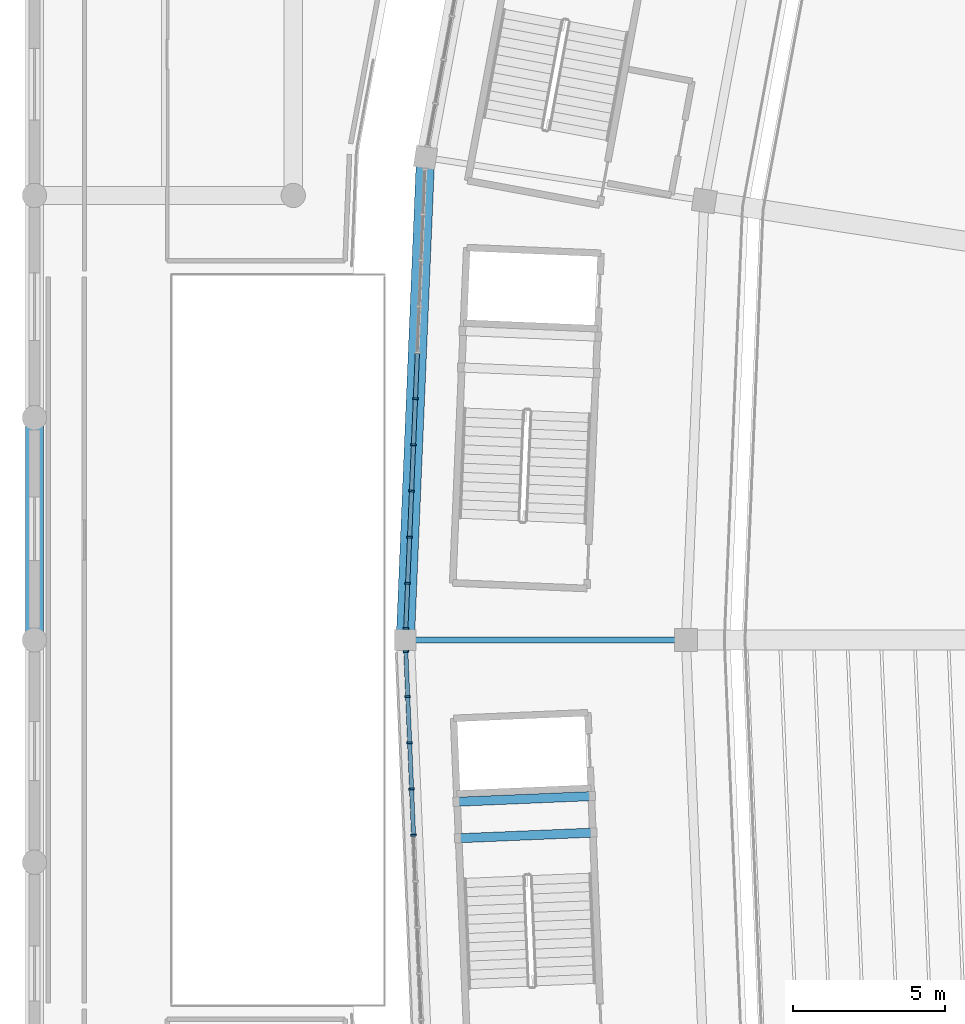
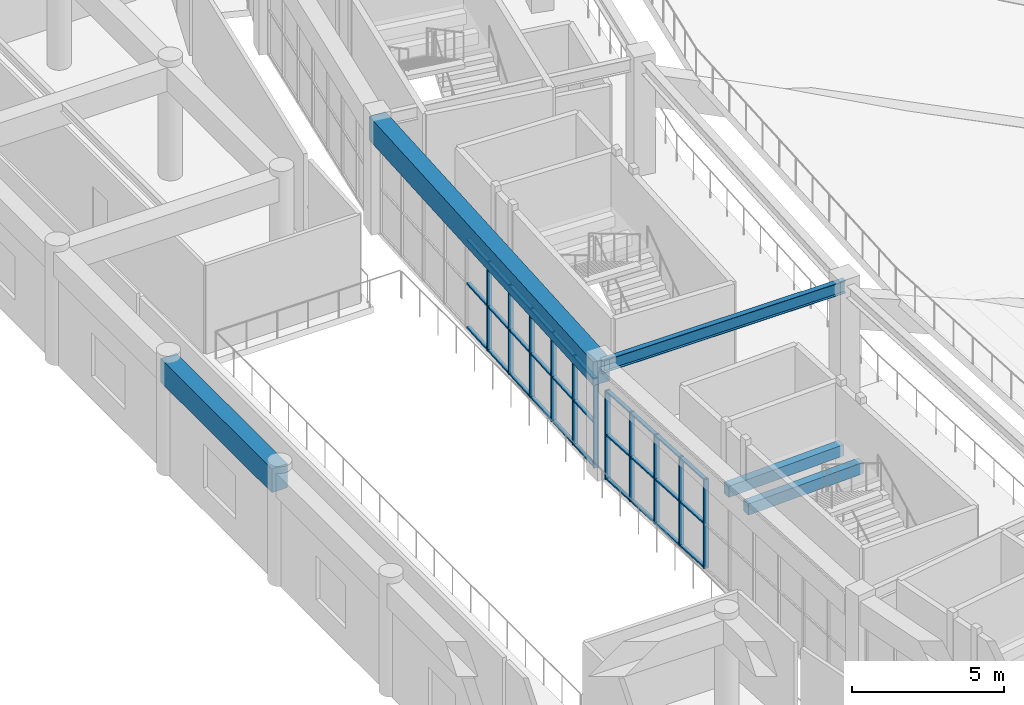
# One storey, part 26 of 137: 41 members, 5 beams, 2 elements without a shape of their own.
"""IFC4 building model written with IfcOpenShell, lengths in metres."""

from ifc_helpers import new_model, si_unit, direction, frame, origin, origin_2d, place, context, subcontext, project, spatial, rectangle, i_section, extrude, material, layer, layer_set, material_profile, profile_set, type_object, element, aggregate, save


model = new_model("IFC4")

# Units and contexts
model_context = context("Model", 3, precision=1e-05, world=origin(), true_north=direction((0.0, 1.0)))
body_context = subcontext(model_context, "Body", "Model", "MODEL_VIEW")
ifc_project = project(units=[si_unit("LENGTHUNIT", "METRE"), si_unit("AREAUNIT", "SQUARE_METRE"), si_unit("VOLUMEUNIT", "CUBIC_METRE"), si_unit("PLANEANGLEUNIT", "RADIAN"), si_unit("MASSUNIT", "GRAM", prefix="KILO")], contexts=[model_context])

# Site, building, storey
site_placement = place(None, origin())
site = spatial("IfcSite", under=ifc_project, at=site_placement, CompositionType="ELEMENT")
building_placement = place(site_placement, origin())
building = spatial("IfcBuilding", under=site, at=building_placement, Name="Mphavela Belvedere Stadium", CompositionType="ELEMENT")
storey_placement = place(building_placement, frame((0.0, 0.0, 19.199951171875)))
storey = spatial("IfcBuildingStorey", under=building, at=storey_placement, Name="L04", CompositionType="ELEMENT", Elevation=19.199951171875)

# Beams
ifc_material_1 = material(Name="Concrete C40/50", Category="concrete")
ifc_material_profile_1 = material_profile(ifc_material_1, rectangle(XDim=0.60009765625, YDim=0.949951171875, at=origin_2d()), Name="RC 600x950")
ifc_profile_set_1 = profile_set([ifc_material_profile_1], Name="Concrete C40/50")
beam_type_1 = type_object("IfcBeamType", Name="BM-ENTABLATURE-950", PredefinedType="SPANDREL", material=ifc_profile_set_1)
beam_1_placement = place(storey_placement, frame((12.844482421875, 102.844970703125, 4.074951171875), z_axis=(-0.041903963155, -0.999121643181, 0.0), x_axis=(0.999121643181, -0.041903963155, 0.0)))
element("IfcBeam", 1, at=beam_1_placement, inside=storey, type_object=beam_type_1, Name="Circumferential girder L04 R4-24", PredefinedType="SPANDREL", context=body_context, shape_type="SweptSolid", body=[
    extrude(rectangle(XDim=0.60009765625, YDim=0.949951171875, at=origin_2d()), origin(), (0.0, 0.0, 1.0), 15.85888671875),
])
beam_2_placement = place(storey_placement, frame((0.0, 87.0, 4.06494140625), z_axis=(0.0, 1.0, 0.0), x_axis=(-1.0, 0.0, 0.0)))
element("IfcBeam", 2, at=beam_2_placement, inside=storey, type_object=beam_type_1, Name="West Planted Eaves Peristyle Colonnade entablature beam Y L04 1-6", PredefinedType="SPANDREL", context=body_context, shape_type="SweptSolid", body=[
    extrude(rectangle(XDim=0.60009765625, YDim=0.949951171875, at=origin_2d()), origin(), (0.0, 0.0, 1.0), 7.300048828125),
])
ifc_material_2 = material(Name="Concrete C40/50", Category="concrete")
ifc_material_profile_2 = material_profile(ifc_material_2, rectangle(XDim=0.300048828125, YDim=0.449951171875, at=origin_2d()), Name="RC 300x450")
ifc_profile_set_2 = profile_set([ifc_material_profile_2], Name="Concrete C40/50")
beam_type_2 = type_object("IfcBeamType", Name="BM-RC300x450", PredefinedType="BEAM", material=ifc_profile_set_2)
for number, where, z_axis, x_axis, name in (
    (3, (18.367919921875, 80.674560546875, 1.97509765625), (-0.999122153252, -0.04189179968, 0.0), (0.04189179968, -0.999122153252, 0.0), "Core C08 landing trimmer beam L04-1"),
    (4, (18.317626953125, 81.87353515625, 1.97509765625), (-0.999122153252, -0.04189179968, 0.0), (0.04189179968, -0.999122153252, 0.0), "Core C08 landing trimmer beam L04-2"),
):
    element("IfcBeam", number, at=place(storey_placement, frame(where, z_axis=z_axis, x_axis=x_axis)), inside=storey, type_object=beam_type_2, Name=name, PredefinedType="BEAM", context=body_context, shape_type="SweptSolid", body=[
        extrude(rectangle(XDim=0.300048828125, YDim=0.449951171875, at=origin_2d()), origin(), (0.0, 0.0, 1.0), 4.469970703125),
    ])
ifc_material_3 = material(Name="Steel S355", Category="steel")
ifc_material_profile_3 = material_profile(ifc_material_3, i_section(OverallWidth=0.199951171875, OverallDepth=0.5, WebThickness=0.01025390625, FlangeThickness=0.01611328125, at=origin_2d()), Name="IPE 500")
ifc_profile_set_3 = profile_set([ifc_material_profile_3], Name="Steel S355")
beam_type_3 = type_object("IfcBeamType", Name="BM-STEEL-IPE500", PredefinedType="BEAM", material=ifc_profile_set_3)
beam_3_placement = place(storey_placement, frame((21.39501953125, 87.0, 4.300048828125), z_axis=(-1.0, 0.0, 0.0), x_axis=(0.0, -1.0, 0.0)))
element("IfcBeam", 5, at=beam_3_placement, inside=storey, type_object=beam_type_3, Name="Radial concourse girder L04 R3R4-25", PredefinedType="BEAM", context=body_context, shape_type="SweptSolid", body=[
    extrude(i_section(OverallWidth=0.199951171875, OverallDepth=0.5, WebThickness=0.01025390625, FlangeThickness=0.01611328125, at=origin_2d()), origin(), (0.0, 0.0, 1.0), 9.215087890625),
])

# Curtain wall, members
ifc_material_4 = material(Name="Anodised bronze unitised curtain wall framing")
ifc_layer_1 = layer(ifc_material_4, 0.205078125)
ifc_layer_set_1 = layer_set([ifc_layer_1], Name="Anodised bronze unitised curtain wall framing")
curtain_wall_type_1 = type_object("IfcCurtainWallType", Name="CW-UNIT-06", PredefinedType="USERDEFINED", material=ifc_layer_set_1)
curtain_wall_1_placement = place(storey_placement, origin())
curtain_wall_1 = element("IfcCurtainWall", 6, at=curtain_wall_1_placement, inside=storey, type_object=curtain_wall_type_1, Name="Belvedere colonnade curtain wall L04-24", ObjectType="UNITISED CURTAIN WALL", PredefinedType="USERDEFINED")
ifc_material_5 = material(Name="Anodised bronze extruded aluminium", Category="aluminium")
ifc_material_profile_4 = material_profile(ifc_material_5, rectangle(XDim=0.179931640625, YDim=0.06494140625, at=origin_2d()), Name="CW-MUL 180x65")
ifc_profile_set_4 = profile_set([ifc_material_profile_4], Name="Anodised bronze extruded aluminium")
member_type_1 = type_object("IfcMemberType", Name="CWM-180x65", PredefinedType="MULLION", material=ifc_profile_set_4)
member_1_placement = place(storey_placement, frame((12.51220703125, 94.922607421875, 0.0), z_axis=(0.0, 0.0, 1.0), x_axis=(0.999121605563, -0.041904860066, 0.0)))
member_1 = element("IfcMember", 7, at=member_1_placement, type_object=member_type_1, Name="CW-06 mullion 6", PredefinedType="MULLION", context=body_context, shape_type="SweptSolid", body=[
    extrude(rectangle(XDim=0.179931640625, YDim=0.06494140625, at=origin_2d()), origin(), (0.0, 0.0, 1.0), 3.570068359375),
])
member_2_placement = place(storey_placement, frame((12.44873046875, 93.407470703125, 0.0), z_axis=(0.0, 0.0, 1.0), x_axis=(0.999121605563, -0.041904860066, 0.0)))
member_2 = element("IfcMember", 8, at=member_2_placement, type_object=member_type_1, Name="CW-06 mullion 7", PredefinedType="MULLION", context=body_context, shape_type="SweptSolid", body=[
    extrude(rectangle(XDim=0.179931640625, YDim=0.06494140625, at=origin_2d()), origin(), (0.0, 0.0, 1.0), 3.570068359375),
])
member_3_placement = place(storey_placement, frame((12.38525390625, 91.892578125, 0.0), z_axis=(0.0, 0.0, 1.0), x_axis=(0.999121605563, -0.041904860066, 0.0)))
member_3 = element("IfcMember", 9, at=member_3_placement, type_object=member_type_1, Name="CW-06 mullion 8", PredefinedType="MULLION", context=body_context, shape_type="SweptSolid", body=[
    extrude(rectangle(XDim=0.179931640625, YDim=0.06494140625, at=origin_2d()), origin(), (0.0, 0.0, 1.0), 3.570068359375),
])
member_4_placement = place(storey_placement, frame((12.32177734375, 90.377685546875, 0.0), z_axis=(0.0, 0.0, 1.0), x_axis=(0.999121605563, -0.041904860066, 0.0)))
member_4 = element("IfcMember", 10, at=member_4_placement, type_object=member_type_1, Name="CW-06 mullion 9", PredefinedType="MULLION", context=body_context, shape_type="SweptSolid", body=[
    extrude(rectangle(XDim=0.179931640625, YDim=0.06494140625, at=origin_2d()), origin(), (0.0, 0.0, 1.0), 3.570068359375),
])
member_5_placement = place(storey_placement, frame((12.258056640625, 88.862548828125, 0.0), z_axis=(0.0, 0.0, 1.0), x_axis=(0.999121605563, -0.041904860066, 0.0)))
member_5 = element("IfcMember", 11, at=member_5_placement, type_object=member_type_1, Name="CW-06 mullion 10", PredefinedType="MULLION", context=body_context, shape_type="SweptSolid", body=[
    extrude(rectangle(XDim=0.179931640625, YDim=0.06494140625, at=origin_2d()), origin(), (0.0, 0.0, 1.0), 3.570068359375),
])
member_6_placement = place(storey_placement, frame((12.196044921875, 87.380126953125, 0.0), z_axis=(0.0, 0.0, 1.0), x_axis=(0.999121605563, -0.041904860066, 0.0)))
member_6 = element("IfcMember", 12, at=member_6_placement, type_object=member_type_1, Name="CW-06 mullion 11", PredefinedType="MULLION", context=body_context, shape_type="SweptSolid", body=[
    extrude(rectangle(XDim=0.179931640625, YDim=0.06494140625, at=origin_2d()), origin(), (0.0, 0.0, 1.0), 3.570068359375),
])

ifc_material_6 = material(Name="Anodised bronze unitised curtain wall framing")
ifc_layer_2 = layer(ifc_material_6, 0.179931640625)
ifc_layer_set_2 = layer_set([ifc_layer_2], Name="Anodised bronze unitised curtain wall framing")
curtain_wall_type_2 = type_object("IfcCurtainWallType", Name="CW-UNIT-01", PredefinedType="USERDEFINED", material=ifc_layer_set_2)
curtain_wall_2_placement = place(storey_placement, origin())
curtain_wall_2 = element("IfcCurtainWall", 13, at=curtain_wall_2_placement, inside=storey, type_object=curtain_wall_type_2, Name="Belvedere colonnade curtain wall L04-25", ObjectType="UNITISED CURTAIN WALL", PredefinedType="USERDEFINED")
member_7_placement = place(storey_placement, frame((12.196044921875, 86.619873046875, 0.0), z_axis=(0.0, 0.0, 1.0), x_axis=(0.999121605563, 0.041904860066, 0.0)))
member_7 = element("IfcMember", 14, at=member_7_placement, type_object=member_type_1, Name="CW-01 mullion 1", PredefinedType="MULLION", context=body_context, shape_type="SweptSolid", body=[
    extrude(rectangle(XDim=0.179931640625, YDim=0.06494140625, at=origin_2d()), origin(), (0.0, 0.0, 1.0), 3.570068359375),
])
member_8_placement = place(storey_placement, frame((12.258056640625, 85.137451171875, 0.0), z_axis=(0.0, 0.0, 1.0), x_axis=(0.999121605563, 0.041904860066, 0.0)))
member_8 = element("IfcMember", 15, at=member_8_placement, type_object=member_type_1, Name="CW-01 mullion 2", PredefinedType="MULLION", context=body_context, shape_type="SweptSolid", body=[
    extrude(rectangle(XDim=0.179931640625, YDim=0.06494140625, at=origin_2d()), origin(), (0.0, 0.0, 1.0), 3.570068359375),
])
member_9_placement = place(storey_placement, frame((12.32177734375, 83.622314453125, 0.0), z_axis=(0.0, 0.0, 1.0), x_axis=(0.999121605563, 0.041904860066, 0.0)))
member_9 = element("IfcMember", 16, at=member_9_placement, type_object=member_type_1, Name="CW-01 mullion 3", PredefinedType="MULLION", context=body_context, shape_type="SweptSolid", body=[
    extrude(rectangle(XDim=0.179931640625, YDim=0.06494140625, at=origin_2d()), origin(), (0.0, 0.0, 1.0), 3.570068359375),
])
member_10_placement = place(storey_placement, frame((12.38525390625, 82.107421875, 0.0), z_axis=(0.0, 0.0, 1.0), x_axis=(0.999121605563, 0.041904860066, 0.0)))
member_10 = element("IfcMember", 17, at=member_10_placement, type_object=member_type_1, Name="CW-01 mullion 4", PredefinedType="MULLION", context=body_context, shape_type="SweptSolid", body=[
    extrude(rectangle(XDim=0.179931640625, YDim=0.06494140625, at=origin_2d()), origin(), (0.0, 0.0, 1.0), 3.570068359375),
])
member_11_placement = place(storey_placement, frame((12.44873046875, 80.592529296875, 0.0), z_axis=(0.0, 0.0, 1.0), x_axis=(0.999121605563, 0.041904860066, 0.0)))
member_11 = element("IfcMember", 18, at=member_11_placement, type_object=member_type_1, Name="CW-01 mullion 5", PredefinedType="MULLION", context=body_context, shape_type="SweptSolid", body=[
    extrude(rectangle(XDim=0.179931640625, YDim=0.06494140625, at=origin_2d()), origin(), (0.0, 0.0, 1.0), 3.570068359375),
])

# Member
ifc_material_7 = material(Name="Anodised bronze extruded aluminium", Category="aluminium")
ifc_material_profile_5 = material_profile(ifc_material_7, rectangle(XDim=0.139892578125, YDim=0.06005859375, at=origin_2d()), Name="CW-TRN 140x60")
ifc_profile_set_5 = profile_set([ifc_material_profile_5], Name="Anodised bronze extruded aluminium")
member_type_2 = type_object("IfcMemberType", Name="CWT-140x60", PredefinedType="USERDEFINED", material=ifc_profile_set_5)
member_12_placement = place(storey_placement, frame((12.574462890625, 96.405029296875, 0.030029296875), z_axis=(-0.041889449519, -0.999122251789, 0.0), x_axis=(0.999122251789, -0.041889449519, 0.0)))
member_12 = element("IfcMember", 19, at=member_12_placement, type_object=member_type_2, Name="CW-06 transom 5.1", ObjectType="TRANSOM", PredefinedType="USERDEFINED", context=body_context, shape_type="SweptSolid", body=[
    extrude(rectangle(XDim=0.139892578125, YDim=0.06005859375, at=origin_2d()), origin(), (0.0, 0.0, 1.0), 1.451171875),
])

member_13_placement = place(storey_placement, frame((12.574462890625, 96.405029296875, 1.78515625), z_axis=(-0.041889449519, -0.999122251789, 0.0), x_axis=(0.999122251789, -0.041889449519, 0.0)))
member_13 = element("IfcMember", 20, at=member_13_placement, type_object=member_type_2, Name="CW-06 transom 5.2", ObjectType="TRANSOM", PredefinedType="USERDEFINED", context=body_context, shape_type="SweptSolid", body=[
    extrude(rectangle(XDim=0.139892578125, YDim=0.06005859375, at=origin_2d()), origin(), (0.0, 0.0, 1.0), 1.451171875),
])

member_14_placement = place(storey_placement, frame((12.574462890625, 96.405029296875, 3.5400390625), z_axis=(-0.041889449519, -0.999122251789, 0.0), x_axis=(0.999122251789, -0.041889449519, 0.0)))
member_14 = element("IfcMember", 21, at=member_14_placement, type_object=member_type_2, Name="CW-06 transom 5.3", ObjectType="TRANSOM", PredefinedType="USERDEFINED", context=body_context, shape_type="SweptSolid", body=[
    extrude(rectangle(XDim=0.139892578125, YDim=0.06005859375, at=origin_2d()), origin(), (0.0, 0.0, 1.0), 1.451171875),
])

member_15_placement = place(storey_placement, frame((12.510986328125, 94.89013671875, 0.030029296875), z_axis=(-0.041882409795, -0.999122546913, 0.0), x_axis=(0.999122546913, -0.041882409795, 0.0)))
member_15 = element("IfcMember", 22, at=member_15_placement, type_object=member_type_2, Name="CW-06 transom 6.1", ObjectType="TRANSOM", PredefinedType="USERDEFINED", context=body_context, shape_type="SweptSolid", body=[
    extrude(rectangle(XDim=0.139892578125, YDim=0.06005859375, at=origin_2d()), origin(), (0.0, 0.0, 1.0), 1.451416015625),
])

member_16_placement = place(storey_placement, frame((12.510986328125, 94.89013671875, 1.78515625), z_axis=(-0.041882409795, -0.999122546913, 0.0), x_axis=(0.999122546913, -0.041882409795, 0.0)))
member_16 = element("IfcMember", 23, at=member_16_placement, type_object=member_type_2, Name="CW-06 transom 6.2", ObjectType="TRANSOM", PredefinedType="USERDEFINED", context=body_context, shape_type="SweptSolid", body=[
    extrude(rectangle(XDim=0.139892578125, YDim=0.06005859375, at=origin_2d()), origin(), (0.0, 0.0, 1.0), 1.451416015625),
])

member_17_placement = place(storey_placement, frame((12.510986328125, 94.89013671875, 3.5400390625), z_axis=(-0.041882409795, -0.999122546913, 0.0), x_axis=(0.999122546913, -0.041882409795, 0.0)))
member_17 = element("IfcMember", 24, at=member_17_placement, type_object=member_type_2, Name="CW-06 transom 6.3", ObjectType="TRANSOM", PredefinedType="USERDEFINED", context=body_context, shape_type="SweptSolid", body=[
    extrude(rectangle(XDim=0.139892578125, YDim=0.06005859375, at=origin_2d()), origin(), (0.0, 0.0, 1.0), 1.451416015625),
])

member_18_placement = place(storey_placement, frame((12.447509765625, 93.375, 0.030029296875), z_axis=(-0.042057383264, -0.999115196818, 0.0), x_axis=(0.999115196818, -0.042057383264, 0.0)))
member_18 = element("IfcMember", 25, at=member_18_placement, type_object=member_type_2, Name="CW-06 transom 7.1", ObjectType="TRANSOM", PredefinedType="USERDEFINED", context=body_context, shape_type="SweptSolid", body=[
    extrude(rectangle(XDim=0.139892578125, YDim=0.06005859375, at=origin_2d()), origin(), (0.0, 0.0, 1.0), 1.451171875),
])

member_19_placement = place(storey_placement, frame((12.447509765625, 93.375, 1.78515625), z_axis=(-0.042057383264, -0.999115196818, 0.0), x_axis=(0.999115196818, -0.042057383264, 0.0)))
member_19 = element("IfcMember", 26, at=member_19_placement, type_object=member_type_2, Name="CW-06 transom 7.2", ObjectType="TRANSOM", PredefinedType="USERDEFINED", context=body_context, shape_type="SweptSolid", body=[
    extrude(rectangle(XDim=0.139892578125, YDim=0.06005859375, at=origin_2d()), origin(), (0.0, 0.0, 1.0), 1.451171875),
])

member_20_placement = place(storey_placement, frame((12.447509765625, 93.375, 3.5400390625), z_axis=(-0.042057383264, -0.999115196818, 0.0), x_axis=(0.999115196818, -0.042057383264, 0.0)))
member_20 = element("IfcMember", 27, at=member_20_placement, type_object=member_type_2, Name="CW-06 transom 7.3", ObjectType="TRANSOM", PredefinedType="USERDEFINED", context=body_context, shape_type="SweptSolid", body=[
    extrude(rectangle(XDim=0.139892578125, YDim=0.06005859375, at=origin_2d()), origin(), (0.0, 0.0, 1.0), 1.451171875),
])

member_21_placement = place(storey_placement, frame((12.3837890625, 91.860107421875, 0.030029296875), z_axis=(-0.041889449519, -0.999122251789, 0.0), x_axis=(0.999122251789, -0.041889449519, 0.0)))
member_21 = element("IfcMember", 28, at=member_21_placement, type_object=member_type_2, Name="CW-06 transom 8.1", ObjectType="TRANSOM", PredefinedType="USERDEFINED", context=body_context, shape_type="SweptSolid", body=[
    extrude(rectangle(XDim=0.139892578125, YDim=0.06005859375, at=origin_2d()), origin(), (0.0, 0.0, 1.0), 1.451171875),
])

member_22_placement = place(storey_placement, frame((12.3837890625, 91.860107421875, 1.78515625), z_axis=(-0.041889449519, -0.999122251789, 0.0), x_axis=(0.999122251789, -0.041889449519, 0.0)))
member_22 = element("IfcMember", 29, at=member_22_placement, type_object=member_type_2, Name="CW-06 transom 8.2", ObjectType="TRANSOM", PredefinedType="USERDEFINED", context=body_context, shape_type="SweptSolid", body=[
    extrude(rectangle(XDim=0.139892578125, YDim=0.06005859375, at=origin_2d()), origin(), (0.0, 0.0, 1.0), 1.451171875),
])

member_23_placement = place(storey_placement, frame((12.3837890625, 91.860107421875, 3.5400390625), z_axis=(-0.041889449519, -0.999122251789, 0.0), x_axis=(0.999122251789, -0.041889449519, 0.0)))
member_23 = element("IfcMember", 30, at=member_23_placement, type_object=member_type_2, Name="CW-06 transom 8.3", ObjectType="TRANSOM", PredefinedType="USERDEFINED", context=body_context, shape_type="SweptSolid", body=[
    extrude(rectangle(XDim=0.139892578125, YDim=0.06005859375, at=origin_2d()), origin(), (0.0, 0.0, 1.0), 1.451171875),
])

member_24_placement = place(storey_placement, frame((12.3203125, 90.34521484375, 0.030029296875), z_axis=(-0.041882409795, -0.999122546913, 0.0), x_axis=(0.999122546913, -0.041882409795, 0.0)))
member_24 = element("IfcMember", 31, at=member_24_placement, type_object=member_type_2, Name="CW-06 transom 9.1", ObjectType="TRANSOM", PredefinedType="USERDEFINED", context=body_context, shape_type="SweptSolid", body=[
    extrude(rectangle(XDim=0.139892578125, YDim=0.06005859375, at=origin_2d()), origin(), (0.0, 0.0, 1.0), 1.451416015625),
])

member_25_placement = place(storey_placement, frame((12.3203125, 90.34521484375, 1.78515625), z_axis=(-0.041882409795, -0.999122546913, 0.0), x_axis=(0.999122546913, -0.041882409795, 0.0)))
member_25 = element("IfcMember", 32, at=member_25_placement, type_object=member_type_2, Name="CW-06 transom 9.2", ObjectType="TRANSOM", PredefinedType="USERDEFINED", context=body_context, shape_type="SweptSolid", body=[
    extrude(rectangle(XDim=0.139892578125, YDim=0.06005859375, at=origin_2d()), origin(), (0.0, 0.0, 1.0), 1.451416015625),
])

member_26_placement = place(storey_placement, frame((12.3203125, 90.34521484375, 3.5400390625), z_axis=(-0.041882409795, -0.999122546913, 0.0), x_axis=(0.999122546913, -0.041882409795, 0.0)))
member_26 = element("IfcMember", 33, at=member_26_placement, type_object=member_type_2, Name="CW-06 transom 9.3", ObjectType="TRANSOM", PredefinedType="USERDEFINED", context=body_context, shape_type="SweptSolid", body=[
    extrude(rectangle(XDim=0.139892578125, YDim=0.06005859375, at=origin_2d()), origin(), (0.0, 0.0, 1.0), 1.451416015625),
])

member_27_placement = place(storey_placement, frame((12.2568359375, 88.830078125, 0.030029296875), z_axis=(-0.041988428468, -0.999118097061, 0.0), x_axis=(0.999118097061, -0.041988428468, 0.0)))
member_27 = element("IfcMember", 34, at=member_27_placement, type_object=member_type_2, Name="CW-06 transom 10.1", ObjectType="TRANSOM", PredefinedType="USERDEFINED", context=body_context, shape_type="SweptSolid", body=[
    extrude(rectangle(XDim=0.139892578125, YDim=0.06005859375, at=origin_2d()), origin(), (0.0, 0.0, 1.0), 1.418701171875),
])

member_28_placement = place(storey_placement, frame((12.2568359375, 88.830078125, 1.78515625), z_axis=(-0.041988428468, -0.999118097061, 0.0), x_axis=(0.999118097061, -0.041988428468, 0.0)))
member_28 = element("IfcMember", 35, at=member_28_placement, type_object=member_type_2, Name="CW-06 transom 10.2", ObjectType="TRANSOM", PredefinedType="USERDEFINED", context=body_context, shape_type="SweptSolid", body=[
    extrude(rectangle(XDim=0.139892578125, YDim=0.06005859375, at=origin_2d()), origin(), (0.0, 0.0, 1.0), 1.418701171875),
])

member_29_placement = place(storey_placement, frame((12.2568359375, 88.830078125, 3.5400390625), z_axis=(-0.041988428468, -0.999118097061, 0.0), x_axis=(0.999118097061, -0.041988428468, 0.0)))
member_29 = element("IfcMember", 36, at=member_29_placement, type_object=member_type_2, Name="CW-06 transom 10.3", ObjectType="TRANSOM", PredefinedType="USERDEFINED", context=body_context, shape_type="SweptSolid", body=[
    extrude(rectangle(XDim=0.139892578125, YDim=0.06005859375, at=origin_2d()), origin(), (0.0, 0.0, 1.0), 1.418701171875),
])

aggregate(curtain_wall_1, [member_1, member_2, member_3, member_4, member_5, member_6, member_12, member_13, member_14, member_15, member_16, member_17, member_18, member_19, member_20, member_21, member_22, member_23, member_24, member_25, member_26, member_27, member_28, member_29])

member_30_placement = place(storey_placement, frame((12.197265625, 86.58740234375, 0.030029296875), z_axis=(0.041988428468, -0.999118097061, 0.0), x_axis=(0.999118097061, 0.041988428468, 0.0)))
member_30 = element("IfcMember", 37, at=member_30_placement, type_object=member_type_2, Name="CW-01 transom 1.1", ObjectType="TRANSOM", PredefinedType="USERDEFINED", context=body_context, shape_type="SweptSolid", body=[
    extrude(rectangle(XDim=0.139892578125, YDim=0.06005859375, at=origin_2d()), origin(), (0.0, 0.0, 1.0), 1.418701171875),
])

member_31_placement = place(storey_placement, frame((12.197265625, 86.58740234375, 1.78515625), z_axis=(0.041988428468, -0.999118097061, 0.0), x_axis=(0.999118097061, 0.041988428468, 0.0)))
member_31 = element("IfcMember", 38, at=member_31_placement, type_object=member_type_2, Name="CW-01 transom 1.2", ObjectType="TRANSOM", PredefinedType="USERDEFINED", context=body_context, shape_type="SweptSolid", body=[
    extrude(rectangle(XDim=0.139892578125, YDim=0.06005859375, at=origin_2d()), origin(), (0.0, 0.0, 1.0), 1.418701171875),
])

member_32_placement = place(storey_placement, frame((12.197265625, 86.58740234375, 3.5400390625), z_axis=(0.041988428468, -0.999118097061, 0.0), x_axis=(0.999118097061, 0.041988428468, 0.0)))
member_32 = element("IfcMember", 39, at=member_32_placement, type_object=member_type_2, Name="CW-01 transom 1.3", ObjectType="TRANSOM", PredefinedType="USERDEFINED", context=body_context, shape_type="SweptSolid", body=[
    extrude(rectangle(XDim=0.139892578125, YDim=0.06005859375, at=origin_2d()), origin(), (0.0, 0.0, 1.0), 1.418701171875),
])

member_33_placement = place(storey_placement, frame((12.259521484375, 85.10498046875, 0.030029296875), z_axis=(0.041882409795, -0.999122546913, 0.0), x_axis=(0.999122546913, 0.041882409795, 0.0)))
member_33 = element("IfcMember", 40, at=member_33_placement, type_object=member_type_2, Name="CW-01 transom 2.1", ObjectType="TRANSOM", PredefinedType="USERDEFINED", context=body_context, shape_type="SweptSolid", body=[
    extrude(rectangle(XDim=0.139892578125, YDim=0.06005859375, at=origin_2d()), origin(), (0.0, 0.0, 1.0), 1.451416015625),
])

member_34_placement = place(storey_placement, frame((12.259521484375, 85.10498046875, 1.78515625), z_axis=(0.041882409795, -0.999122546913, 0.0), x_axis=(0.999122546913, 0.041882409795, 0.0)))
member_34 = element("IfcMember", 41, at=member_34_placement, type_object=member_type_2, Name="CW-01 transom 2.2", ObjectType="TRANSOM", PredefinedType="USERDEFINED", context=body_context, shape_type="SweptSolid", body=[
    extrude(rectangle(XDim=0.139892578125, YDim=0.06005859375, at=origin_2d()), origin(), (0.0, 0.0, 1.0), 1.451416015625),
])

member_35_placement = place(storey_placement, frame((12.259521484375, 85.10498046875, 3.5400390625), z_axis=(0.041882409795, -0.999122546913, 0.0), x_axis=(0.999122546913, 0.041882409795, 0.0)))
member_35 = element("IfcMember", 42, at=member_35_placement, type_object=member_type_2, Name="CW-01 transom 2.3", ObjectType="TRANSOM", PredefinedType="USERDEFINED", context=body_context, shape_type="SweptSolid", body=[
    extrude(rectangle(XDim=0.139892578125, YDim=0.06005859375, at=origin_2d()), origin(), (0.0, 0.0, 1.0), 1.451416015625),
])

member_36_placement = place(storey_placement, frame((12.322998046875, 83.58984375, 0.030029296875), z_axis=(0.041889449519, -0.999122251789, 0.0), x_axis=(0.999122251789, 0.041889449519, 0.0)))
member_36 = element("IfcMember", 43, at=member_36_placement, type_object=member_type_2, Name="CW-01 transom 3.1", ObjectType="TRANSOM", PredefinedType="USERDEFINED", context=body_context, shape_type="SweptSolid", body=[
    extrude(rectangle(XDim=0.139892578125, YDim=0.06005859375, at=origin_2d()), origin(), (0.0, 0.0, 1.0), 1.451171875),
])

member_37_placement = place(storey_placement, frame((12.322998046875, 83.58984375, 1.78515625), z_axis=(0.041889449519, -0.999122251789, 0.0), x_axis=(0.999122251789, 0.041889449519, 0.0)))
member_37 = element("IfcMember", 44, at=member_37_placement, type_object=member_type_2, Name="CW-01 transom 3.2", ObjectType="TRANSOM", PredefinedType="USERDEFINED", context=body_context, shape_type="SweptSolid", body=[
    extrude(rectangle(XDim=0.139892578125, YDim=0.06005859375, at=origin_2d()), origin(), (0.0, 0.0, 1.0), 1.451171875),
])

member_38_placement = place(storey_placement, frame((12.322998046875, 83.58984375, 3.5400390625), z_axis=(0.041889449519, -0.999122251789, 0.0), x_axis=(0.999122251789, 0.041889449519, 0.0)))
member_38 = element("IfcMember", 45, at=member_38_placement, type_object=member_type_2, Name="CW-01 transom 3.3", ObjectType="TRANSOM", PredefinedType="USERDEFINED", context=body_context, shape_type="SweptSolid", body=[
    extrude(rectangle(XDim=0.139892578125, YDim=0.06005859375, at=origin_2d()), origin(), (0.0, 0.0, 1.0), 1.451171875),
])

member_39_placement = place(storey_placement, frame((12.386474609375, 82.074951171875, 0.030029296875), z_axis=(0.042057383264, -0.999115196818, 0.0), x_axis=(0.999115196818, 0.042057383264, 0.0)))
member_39 = element("IfcMember", 46, at=member_39_placement, type_object=member_type_2, Name="CW-01 transom 4.1", ObjectType="TRANSOM", PredefinedType="USERDEFINED", context=body_context, shape_type="SweptSolid", body=[
    extrude(rectangle(XDim=0.139892578125, YDim=0.06005859375, at=origin_2d()), origin(), (0.0, 0.0, 1.0), 1.451171875),
])

member_40_placement = place(storey_placement, frame((12.386474609375, 82.074951171875, 1.78515625), z_axis=(0.042057383264, -0.999115196818, 0.0), x_axis=(0.999115196818, 0.042057383264, 0.0)))
member_40 = element("IfcMember", 47, at=member_40_placement, type_object=member_type_2, Name="CW-01 transom 4.2", ObjectType="TRANSOM", PredefinedType="USERDEFINED", context=body_context, shape_type="SweptSolid", body=[
    extrude(rectangle(XDim=0.139892578125, YDim=0.06005859375, at=origin_2d()), origin(), (0.0, 0.0, 1.0), 1.451171875),
])

member_41_placement = place(storey_placement, frame((12.386474609375, 82.074951171875, 3.5400390625), z_axis=(0.042057383264, -0.999115196818, 0.0), x_axis=(0.999115196818, 0.042057383264, 0.0)))
member_41 = element("IfcMember", 48, at=member_41_placement, type_object=member_type_2, Name="CW-01 transom 4.3", ObjectType="TRANSOM", PredefinedType="USERDEFINED", context=body_context, shape_type="SweptSolid", body=[
    extrude(rectangle(XDim=0.139892578125, YDim=0.06005859375, at=origin_2d()), origin(), (0.0, 0.0, 1.0), 1.451171875),
])

aggregate(curtain_wall_2, [member_7, member_8, member_9, member_10, member_11, member_30, member_31, member_32, member_33, member_34, member_35, member_36, member_37, member_38, member_39, member_40, member_41])

save(model, "model.ifc")
